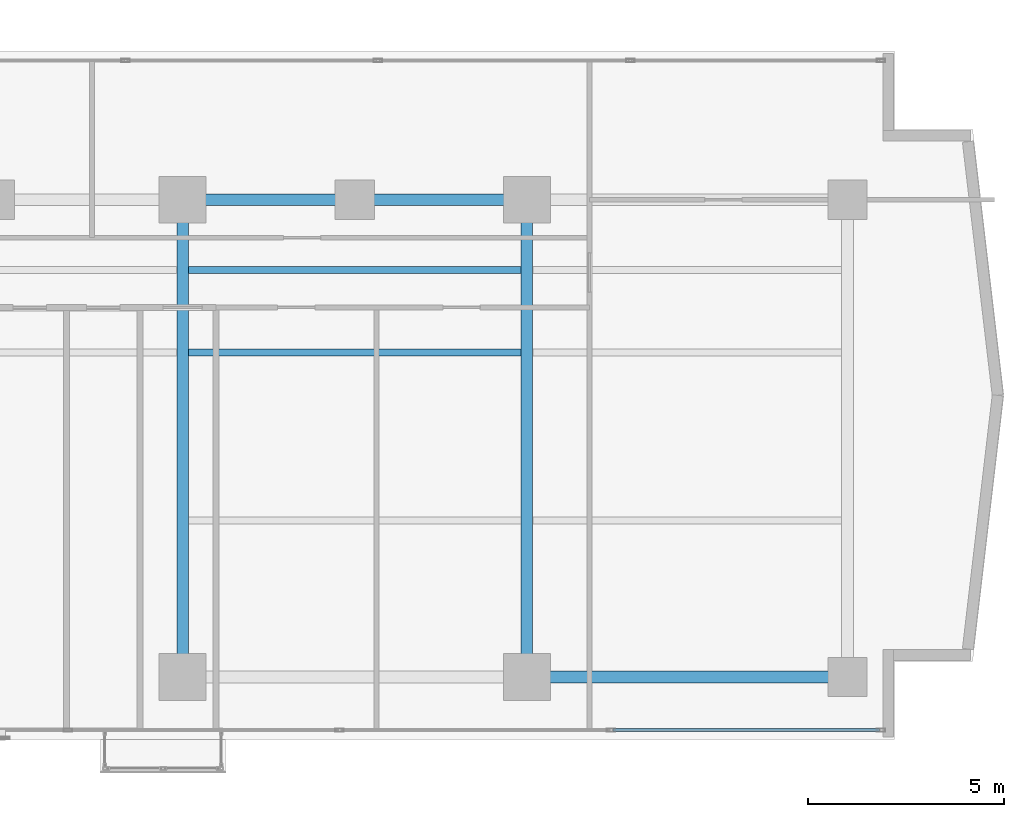
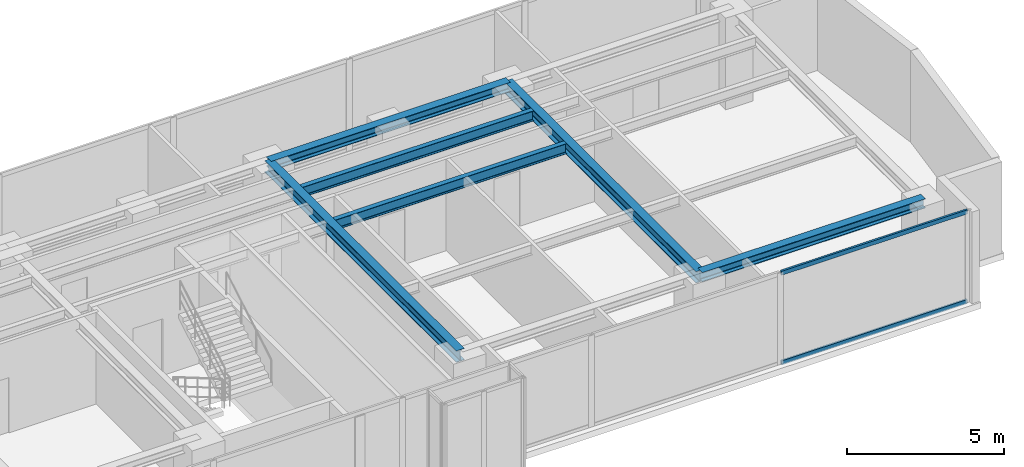
# One storey, part 12 of 28: 6 beams, 2 members, 1 element without a shape of its own.
"""IFC4 building model written with IfcOpenShell, lengths in metres."""

from ifc_helpers import new_model, si_unit, direction, frame, origin, origin_with_axes, origin_2d, place, context, subcontext, project, spatial, hollow_rectangle, i_section, extrude, source, transform, mapped, material, layer, layer_set, material_profile, profile_set, type_object, element, aggregate, save


model = new_model("IFC4")

# Units and contexts
model_context = context("Model", 3, precision=1e-05, world=origin(), true_north=direction((0.0, 1.0)))
body_context = subcontext(model_context, "Body", "Model", "MODEL_VIEW")
ifc_project = project(units=[si_unit("LENGTHUNIT", "METRE"), si_unit("AREAUNIT", "SQUARE_METRE"), si_unit("VOLUMEUNIT", "CUBIC_METRE"), si_unit("PLANEANGLEUNIT", "RADIAN"), si_unit("MASSUNIT", "GRAM", prefix="KILO")], contexts=[model_context])

# Site, building, storey
site_placement = place(None, origin())
site = spatial("IfcSite", under=ifc_project, at=site_placement, CompositionType="ELEMENT")
building_placement = place(site_placement, origin())
building = spatial("IfcBuilding", under=site, at=building_placement, Name="Kolvaren Waterfront Exchange", CompositionType="ELEMENT")
storey_placement = place(building_placement, frame((0.0, 0.0, 146.199951171875)))
storey = spatial("IfcBuildingStorey", under=building, at=storey_placement, Name="L37", CompositionType="ELEMENT", Elevation=146.199951171875)

# Beams
ifc_material_1 = material(Name="Steel S355", Category="steel")
ifc_material_profile_1 = material_profile(ifc_material_1, i_section(OverallWidth=0.300048828125, OverallDepth=0.360107421875, WebThickness=0.012451171875, FlangeThickness=0.0224609375, FilletRadius=0.027099609375, at=origin_2d()), Name="HEB360")
ifc_profile_set_1 = profile_set([ifc_material_profile_1], Name="Steel S355")
beam_type_1 = type_object("IfcBeamType", Name="STR-BM-HEB360", PredefinedType="SPANDREL", material=ifc_profile_set_1)
beam_1_placement = place(storey_placement, frame((45.60009765625, 5.199951171875, 3.380126953125), z_axis=(1.0, 0.0, 0.0), x_axis=(0.0, 1.0, 0.0)))
element("IfcBeam", 1, at=beam_1_placement, inside=storey, type_object=beam_type_1, Name="L37 east-arm spandrel S4", PredefinedType="SPANDREL", context=body_context, shape_type="SweptSolid", body=[
    extrude(i_section(OverallWidth=0.300048828125, OverallDepth=0.360107421875, WebThickness=0.012451171875, FlangeThickness=0.0224609375, FilletRadius=0.027099609375, at=origin_2d()), origin(), (0.0, 0.0, 1.0), 8.199951171875),
])
beam_2_placement = place(storey_placement, frame((36.800048828125, 17.39990234375, 3.380126953125), z_axis=(1.0, 0.0, 0.0), x_axis=(0.0, 1.0, 0.0)))
element("IfcBeam", 2, at=beam_2_placement, inside=storey, type_object=beam_type_1, Name="L37 east-arm spandrel N3", PredefinedType="SPANDREL", context=body_context, shape_type="SweptSolid", body=[
    extrude(i_section(OverallWidth=0.300048828125, OverallDepth=0.360107421875, WebThickness=0.012451171875, FlangeThickness=0.0224609375, FilletRadius=0.027099609375, at=origin_2d()), origin(), (0.0, 0.0, 1.0), 8.800048828125),
])
ifc_material_profile_2 = material_profile(ifc_material_1, i_section(OverallWidth=0.300048828125, OverallDepth=0.449951171875, WebThickness=0.013916015625, FlangeThickness=0.02587890625, FilletRadius=0.027099609375, at=origin_2d()), Name="HEB450")
ifc_profile_set_2 = profile_set([ifc_material_profile_2], Name="Steel S355")
beam_type_2 = type_object("IfcBeamType", Name="STR-BM-HEB450", PredefinedType="BEAM", material=ifc_profile_set_2)
for number, where, z_axis, x_axis, name in (
    (3, (36.800048828125, 5.199951171875, 3.3349609375), (0.0, 1.0, 0.0), (-1.0, 0.0, 0.0), "L37 east-arm transverse girder X36"),
    (4, (45.60009765625, 5.199951171875, 3.3349609375), (0.0, 1.0, 0.0), (-1.0, 0.0, 0.0), "L37 east-arm transverse girder X45"),
):
    element("IfcBeam", number, at=place(storey_placement, frame(where, z_axis=z_axis, x_axis=x_axis)), inside=storey, type_object=beam_type_2, Name=name, PredefinedType="BEAM", context=body_context, shape_type="SweptSolid", body=[
        extrude(i_section(OverallWidth=0.300048828125, OverallDepth=0.449951171875, WebThickness=0.013916015625, FlangeThickness=0.02587890625, FilletRadius=0.027099609375, at=origin_2d()), origin(), (0.0, 0.0, 1.0), 12.199951171875),
    ])
ifc_material_profile_3 = material_profile(ifc_material_1, i_section(OverallWidth=0.179931640625, OverallDepth=0.39990234375, WebThickness=0.008544921875, FlangeThickness=0.013427734375, FilletRadius=0.02099609375, at=origin_2d()), Name="IPE400")
ifc_profile_set_3 = profile_set([ifc_material_profile_3], Name="Steel S355")
beam_type_3 = type_object("IfcBeamType", Name="STR-BM-IPE400", PredefinedType="JOIST", material=ifc_profile_set_3)
for number, where, z_axis, x_axis, name in (
    (5, (36.951904296875, 13.5, 3.360107421875), (1.0, 0.0, 0.0), (0.0, 1.0, 0.0), "L37 east-arm composite joist 3A"),
    (6, (36.951904296875, 15.60009765625, 3.360107421875), (1.0, 0.0, 0.0), (0.0, 1.0, 0.0), "L37 east-arm composite joist 3C"),
):
    element("IfcBeam", number, at=place(storey_placement, frame(where, z_axis=z_axis, x_axis=x_axis)), inside=storey, type_object=beam_type_3, Name=name, PredefinedType="JOIST", context=body_context, shape_type="SweptSolid", body=[
        extrude(i_section(OverallWidth=0.179931640625, OverallDepth=0.39990234375, WebThickness=0.008544921875, FlangeThickness=0.013427734375, FilletRadius=0.02099609375, at=origin_2d()), origin(), (0.0, 0.0, 1.0), 8.49609375),
    ])

# Curtain wall, members
ifc_material_2 = material(Name="Anodised bronze aluminium 6063-T6", Category="aluminium")
ifc_layer = layer(ifc_material_2, 0.219970703125, Name="Anodised bronze aluminium 6063-T6")
ifc_layer_set = layer_set([ifc_layer], Name="Anodised bronze aluminium 6063-T6")
curtain_wall_type = type_object("IfcCurtainWallType", Name="ARC-CW-SYS1", PredefinedType="USERDEFINED", material=ifc_layer_set)
curtain_wall_placement = place(storey_placement, origin())
curtain_wall = element("IfcCurtainWall", 7, at=curtain_wall_placement, inside=storey, type_object=curtain_wall_type, Name="L37 stick curtain wall CW1 (CW-L37-S)", ObjectType="STICK CURTAIN WALL", PredefinedType="USERDEFINED")
ifc_material_3 = material(Name="Anodised aluminium 6063-T6", Category="aluminium")
ifc_material_profile_4 = material_profile(ifc_material_3, hollow_rectangle(XDim=0.074951171875, YDim=0.159912109375, WallThickness=0.00439453125, at=origin_2d()), Name="ALU-TRN-160x75x4.5")
ifc_profile_set_4 = profile_set([ifc_material_profile_4], Name="Anodised aluminium 6063-T6")
member_type = type_object("IfcMemberType", Name="ARC-CWT-160", PredefinedType="USERDEFINED", material=ifc_profile_set_4)
shared_shape = source(origin_with_axes(), body_context, "Body", "SweptSolid", [
    extrude(hollow_rectangle(XDim=0.074951171875, YDim=0.159912109375, WallThickness=0.00439453125, at=origin_2d()), origin(), (0.0, 0.0, 1.0), 6.822998046875),
])
member_1_placement = place(storey_placement, frame((47.797119140625, 3.840087890625, 0.03759765625), z_axis=(1.0, 0.0, 0.0), x_axis=(0.0, 1.0, 0.0)))
member_1 = element("IfcMember", 8, at=member_1_placement, type_object=member_type, Name="CW1 transom 7.1", ObjectType="TRANSOM", PredefinedType="USERDEFINED", context=body_context, shape_type="MappedRepresentation", body=[
    mapped(shared_shape, transform((0.0, 0.0, 0.0), x_axis=(1.0, 0.0, 0.0), y_axis=(0.0, 1.0, 0.0), z_axis=(0.0, 0.0, 1.0), scale=1.0)),
])
member_2_placement = place(storey_placement, frame((47.797119140625, 3.840087890625, 3.5224609375), z_axis=(1.0, 0.0, 0.0), x_axis=(0.0, 1.0, 0.0)))
member_2 = element("IfcMember", 9, at=member_2_placement, type_object=member_type, Name="CW1 transom 7.2", ObjectType="TRANSOM", PredefinedType="USERDEFINED", context=body_context, shape_type="MappedRepresentation", body=[
    mapped(shared_shape, transform((0.0, 0.0, 0.0), x_axis=(1.0, 0.0, 0.0), y_axis=(0.0, 1.0, 0.0), z_axis=(0.0, 0.0, 1.0), scale=1.0)),
])
aggregate(curtain_wall, [member_1, member_2])

save(model, "model.ifc")
